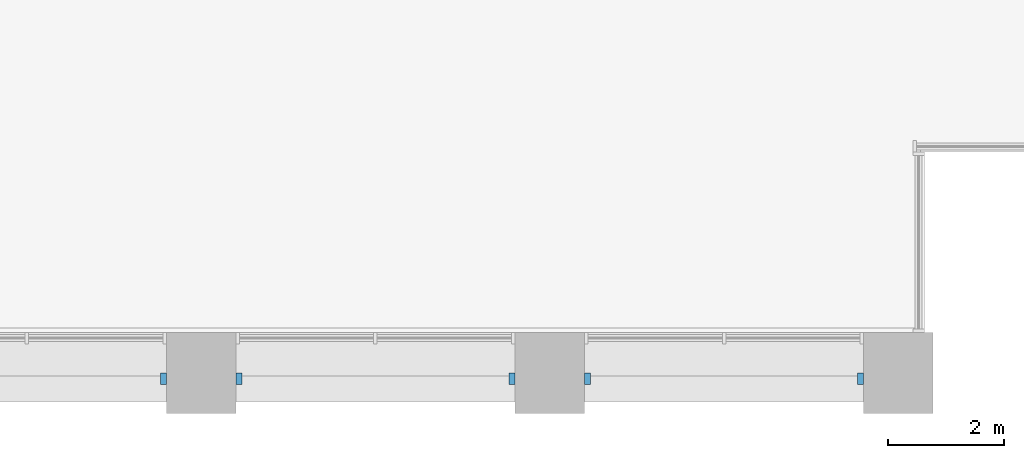
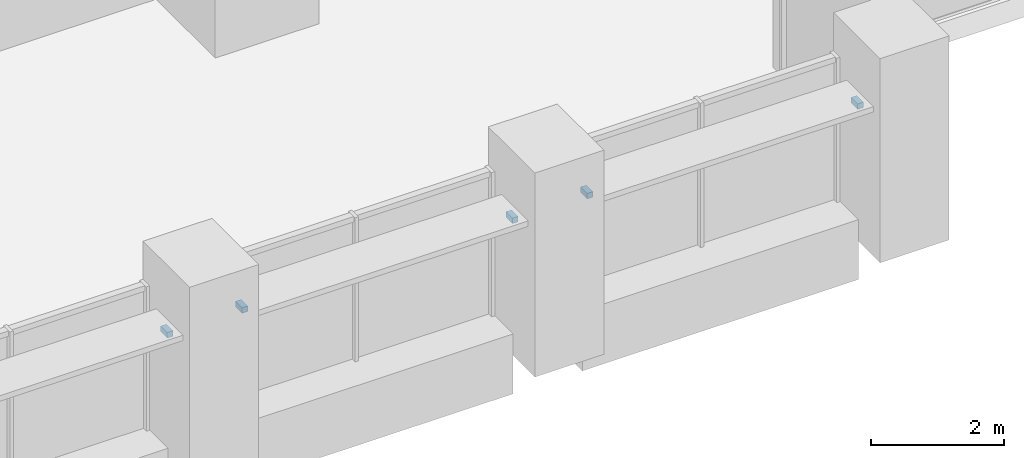
# One storey, part 16 of 18: 5 discrete accessories.
"""IFC4 building model written with IfcOpenShell, lengths in metres."""

import ifcopenshell
import ifcopenshell.guid

model = None  # the IFC model being written
_history = None  # IfcOwnerHistory: only IFC2X3 demands one
_inside = {}  # id of a spatial element -> (the spatial element, [elements in it])
_under = {}  # id of a project, library or spatial element -> (it, [spatial elements below it])
_declared = {}  # id of a project -> (the project, [libraries it declares])
_typed = {}  # id of a type object -> (the type object, [elements of that type])
_made_of = {}  # id of a material, layer set ... -> (it, [elements and type objects made of it])


def new_model(schema):
    """Start an empty IFC model of exactly this schema.

    Asked for "IFC4X3", IfcOpenShell would pick the latest addendum, in which some entities
    have other attributes; the version numbers below select the first issue.
    IFC2X3 requires an IfcOwnerHistory on every rooted entity: one is made here for all.
    """
    global model, _history
    if schema == "IFC4X3":
        model = ifcopenshell.file(schema_version=(4, 3, 0, 0))
    else:
        model = ifcopenshell.file(schema=schema)
    _inside.clear()
    _under.clear()
    _declared.clear()
    _typed.clear()
    _made_of.clear()
    _history = None
    if model.schema == "IFC2X3":
        org = make("IfcOrganization", Name="unknown")
        user = make(
            "IfcPersonAndOrganization",
            ThePerson=make("IfcPerson", FamilyName="unknown"),
            TheOrganization=org,
        )
        app = make(
            "IfcApplication",
            ApplicationDeveloper=org,
            Version="unknown",
            ApplicationFullName="unknown",
            ApplicationIdentifier="unknown",
        )
        _history = make(
            "IfcOwnerHistory",
            OwningUser=user,
            OwningApplication=app,
            ChangeAction="ADDED",
            CreationDate=0,
        )
    return model


def make(cls, **values):
    """One entity of the class cls with the attributes given. An attribute that is None is left unset."""
    return model.create_entity(
        cls, **{name: value for name, value in values.items() if value is not None}
    )


def rooted(cls, **values):
    """An entity with a GlobalId (a new one), such as an element, a storey or a relation."""
    return make(cls, GlobalId=ifcopenshell.guid.new(), OwnerHistory=_history, **values)


def si_unit(unit_type, name, prefix=None):
    """IfcSIUnit, for example si_unit("LENGTHUNIT", "METRE", prefix="MILLI")."""
    return make("IfcSIUnit", UnitType=unit_type, Prefix=prefix, Name=name)


def assignment(units):
    """IfcUnitAssignment: the units of a project."""
    return None if units is None else make("IfcUnitAssignment", Units=units)


def point(xyz):
    """IfcCartesianPoint."""
    return None if xyz is None else make("IfcCartesianPoint", Coordinates=xyz)


def direction(xyz):
    """IfcDirection."""
    return None if xyz is None else make("IfcDirection", DirectionRatios=xyz)


def frame(location, z_axis=None, x_axis=None):
    """IfcAxis2Placement3D, a coordinate frame: its origin and axes. An axis left out is left unset."""
    return make(
        "IfcAxis2Placement3D",
        Location=point(location),
        Axis=direction(z_axis),
        RefDirection=direction(x_axis),
    )


def frame_2d(location, x_axis=None):
    """IfcAxis2Placement2D, a coordinate frame in the plane: its origin and x axis."""
    return make(
        "IfcAxis2Placement2D", Location=point(location), RefDirection=direction(x_axis)
    )


def origin():
    """The frame at (0, 0, 0) with its axes left unset."""
    return frame((0.0, 0.0, 0.0))


def origin_2d():
    """The frame at (0, 0) in the plane with its x axis left unset."""
    return frame_2d((0.0, 0.0))


def place(relative_to, where):
    """IfcLocalPlacement: puts the frame where relative to a parent placement (None: the world)."""
    return make(
        "IfcLocalPlacement", PlacementRelTo=relative_to, RelativePlacement=where
    )


def context(
    kind, dimensions, precision=None, world=None, true_north=None, identifier=None
):
    """IfcGeometricRepresentationContext, for example the 3D "Model" context."""
    return make(
        "IfcGeometricRepresentationContext",
        ContextIdentifier=identifier,
        ContextType=kind,
        CoordinateSpaceDimension=dimensions,
        Precision=precision,
        WorldCoordinateSystem=world,
        TrueNorth=true_north,
    )


def subcontext(parent, identifier, kind, view, scale=None):
    """IfcGeometricRepresentationSubContext, for example "Body" below "Model"."""
    return make(
        "IfcGeometricRepresentationSubContext",
        ContextIdentifier=identifier,
        ContextType=kind,
        ParentContext=parent,
        TargetScale=scale,
        TargetView=view,
    )


def project(units=None, contexts=None):
    """IfcProject with its units and contexts."""
    return rooted(
        "IfcProject",
        Name="project",
        RepresentationContexts=contexts,
        UnitsInContext=assignment(units),
    )


def spatial(cls, under=None, at=None, **own):
    """A site, building, storey or space (cls), placed at a placement, below another one or the project."""
    s = rooted(cls, ObjectPlacement=at, **own)
    if under is not None:
        _under.setdefault(under.id(), (under, []))[1].append(s)
    return s


def profile(cls, at=None, kind="AREA", **sizes):
    """A parametric profile (cls). Its sizes go by their IFC names, for example OverallWidth=200.0."""
    return make(cls, ProfileType=kind, Position=at, **sizes)


def rectangle(**sizes):
    """IfcRectangleProfileDef."""
    return profile("IfcRectangleProfileDef", **sizes)


def extrude(swept, where, along, depth):
    """IfcExtrudedAreaSolid: the profile swept, set in the frame where, extruded along a direction by depth."""
    return make(
        "IfcExtrudedAreaSolid",
        SweptArea=swept,
        Position=where,
        ExtrudedDirection=direction(along),
        Depth=depth,
    )


def shape(context_of_items, identifier, shape_type, items):
    """IfcShapeRepresentation: the items that make up one representation, for example the "Body"."""
    return make(
        "IfcShapeRepresentation",
        ContextOfItems=context_of_items,
        RepresentationIdentifier=identifier,
        RepresentationType=shape_type,
        Items=items,
    )


def made_of(thing, what):
    """Note that an element or type object is made of a material, layer set ...; save() writes the relation."""
    if what is not None:
        _made_of.setdefault(what.id(), (what, []))[1].append(thing)
    return thing


def element(
    cls,
    number,
    at=None,
    inside=None,
    cuts=None,
    type_object=None,
    material=None,
    context=None,
    identifier="Body",
    shape_type=None,
    held_by="IfcProductDefinitionShape",
    body=None,
    shapes=None,
    **own,
):
    """One element of the class cls, such as IfcWall. Its Tag is "e" and its number.

    at: its placement. inside: the storey or other place that contains it. cuts: it is an
    opening in that element (IfcRelVoidsElement). A single representation is given by context,
    identifier, shape_type and body (its items); several are given by shapes. held_by: the class
    of the entity that holds the representations. save() writes the other relations.
    """
    e = rooted(cls, Tag="e%d" % number, ObjectPlacement=at, **own)
    if body is not None:
        shapes = [shape(context, identifier, shape_type, body)]
    if shapes is not None:
        e.Representation = make(held_by, Representations=shapes)
    if inside is not None:
        _inside.setdefault(inside.id(), (inside, []))[1].append(e)
    if cuts is not None:
        rooted(
            "IfcRelVoidsElement", RelatingBuildingElement=cuts, RelatedOpeningElement=e
        )
    if type_object is not None:
        _typed.setdefault(type_object.id(), (type_object, []))[1].append(e)
    return made_of(e, material)


def aggregate(whole, parts):
    """IfcRelAggregates: a whole, such as a stair, and the parts it consists of."""
    return rooted("IfcRelAggregates", RelatingObject=whole, RelatedObjects=parts)


def save(model, path):
    """Write the relations noted so far, then the file.

    IfcRelAggregates (storeys below a building ...), IfcRelContainedInSpatialStructure (elements
    in a storey), IfcRelDefinesByType, IfcRelAssociatesMaterial and IfcRelDeclares: one each for
    every whole, place, type object, material and project.
    """
    for whole, parts in _under.values():
        aggregate(whole, parts)
    for where, things in _inside.values():
        rooted(
            "IfcRelContainedInSpatialStructure",
            RelatedElements=things,
            RelatingStructure=where,
        )
    for kind, things in _typed.values():
        rooted("IfcRelDefinesByType", RelatedObjects=things, RelatingType=kind)
    for what, things in _made_of.values():
        rooted("IfcRelAssociatesMaterial", RelatedObjects=things, RelatingMaterial=what)
    for by, libraries in _declared.values():
        rooted("IfcRelDeclares", RelatingContext=by, RelatedDefinitions=libraries)
    model.write(path)


model = new_model("IFC4")

# Units and contexts
model_context = context("Model", 3, precision=1e-05, world=origin(), true_north=direction((0.0, 1.0)))
body_context = subcontext(model_context, "Body", "Model", "MODEL_VIEW")
ifc_project = project(units=[si_unit("LENGTHUNIT", "METRE"), si_unit("AREAUNIT", "SQUARE_METRE"), si_unit("VOLUMEUNIT", "CUBIC_METRE"), si_unit("PLANEANGLEUNIT", "RADIAN"), si_unit("MASSUNIT", "GRAM", prefix="KILO")], contexts=[model_context])

# Site, building, storey
site_placement = place(None, origin())
site = spatial("IfcSite", under=ifc_project, at=site_placement, CompositionType="ELEMENT")
building_placement = place(site_placement, origin())
building = spatial("IfcBuilding", under=site, at=building_placement, Name="Calvaro Tower", CompositionType="ELEMENT")
storey_placement = place(building_placement, frame((0.0, 0.0, 30.0)))
storey = spatial("IfcBuildingStorey", under=building, at=storey_placement, Name="L06", CompositionType="ELEMENT", Elevation=30.0)

# Discrete accessories
for number, where, z_axis, x_axis, name in (
    (1, (59.35009765625, 0.60009765625, 2.14990234375), (0.0, 0.0, 1.0), (1.0, 0.0, 0.0), "Brise-soleil bracket"),
    (2, (60.64990234375, 0.60009765625, 2.14990234375), (0.0, 0.0, 1.0), (1.0, 0.0, 0.0), "Brise-soleil bracket"),
    (3, (65.35009765625, 0.60009765625, 2.14990234375), (0.0, 0.0, 1.0), (1.0, 0.0, 0.0), "Brise-soleil bracket"),
    (4, (66.64990234375, 0.60009765625, 2.14990234375), (0.0, 0.0, 1.0), (1.0, 0.0, 0.0), "Brise-soleil bracket"),
    (5, (71.35009765625, 0.60009765625, 2.14990234375), (0.0, 0.0, 1.0), (1.0, 0.0, 0.0), "Brise-soleil bracket"),
):
    element("IfcDiscreteAccessory", number, at=place(storey_placement, frame(where, z_axis=z_axis, x_axis=x_axis)), inside=storey, Name=name, PredefinedType="BRACKET", context=body_context, shape_type="SweptSolid", body=[
        extrude(rectangle(XDim=0.10009765625, YDim=0.199951171875, at=origin_2d()), origin(), (0.0, 0.0, 1.0), 0.10009765625),
    ])

save(model, "model.ifc")
